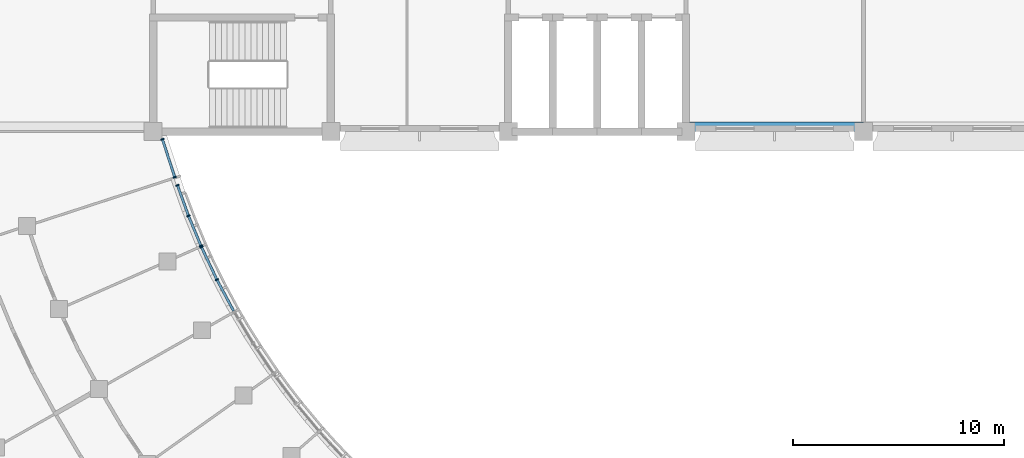
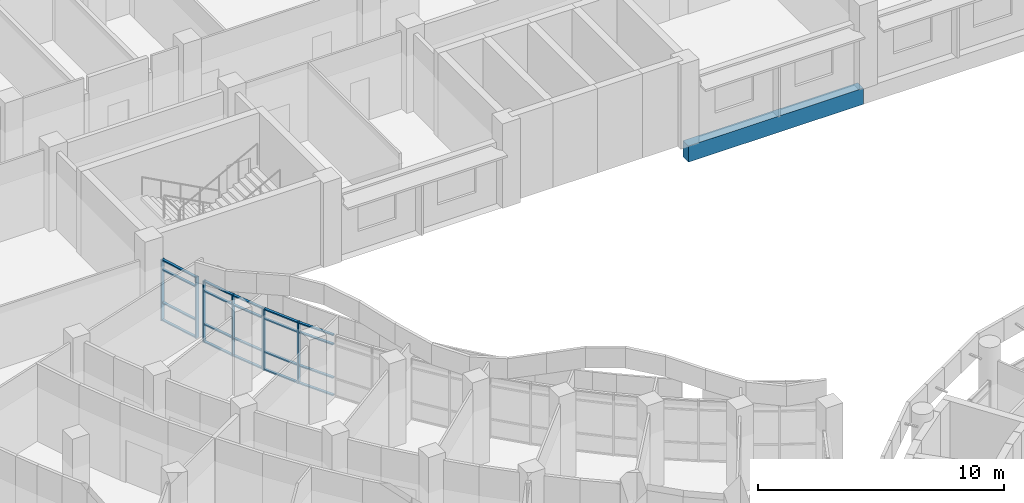
# One storey, part 23 of 109: 27 members, 1 beam, 3 elements without a shape of their own.
"""IFC4 building model written with IfcOpenShell, lengths in metres."""

from ifc_helpers import new_model, si_unit, direction, frame, origin, origin_2d, place, context, subcontext, project, spatial, rectangle, extrude, material, material_profile, profile_set, type_object, element, aggregate, save


model = new_model("IFC4")

# Units and contexts
model_context = context("Model", 3, precision=1e-05, world=origin(), true_north=direction((0.0, 1.0)))
body_context = subcontext(model_context, "Body", "Model", "MODEL_VIEW")
ifc_project = project(units=[si_unit("LENGTHUNIT", "METRE"), si_unit("AREAUNIT", "SQUARE_METRE"), si_unit("VOLUMEUNIT", "CUBIC_METRE"), si_unit("PLANEANGLEUNIT", "RADIAN"), si_unit("MASSUNIT", "GRAM", prefix="KILO")], contexts=[model_context])

# Site, building, storey
site_placement = place(None, origin())
site = spatial("IfcSite", under=ifc_project, at=site_placement, CompositionType="ELEMENT")
building_placement = place(site_placement, origin())
building = spatial("IfcBuilding", under=site, at=building_placement, Name="Bougainvillea Quay General Hospital", CompositionType="ELEMENT")
storey_placement = place(building_placement, frame((0.0, 0.0, 12.60009765625)))
storey = spatial("IfcBuildingStorey", under=building, at=storey_placement, Name="L02", CompositionType="ELEMENT", Elevation=12.60009765625)

# Curtain wall, members
ifc_material_1 = material(Name="Aluminium curtain wall system, powder-coated glazed", Category="aluminium")
curtain_wall_type_1 = type_object("IfcCurtainWallType", Name="Unitised curtain wall CW-2100", PredefinedType="NOTDEFINED", material=ifc_material_1)
curtain_wall_1_placement = place(storey_placement, origin())
curtain_wall_1 = element("IfcCurtainWall", 1, at=curtain_wall_1_placement, inside=storey, type_object=curtain_wall_type_1, Name="CW-W07 a11b6", PredefinedType="NOTDEFINED")
ifc_material_2 = material(Name="Aluminium mullion, powder-coated charcoal", Category="aluminium")
ifc_material_profile_1 = material_profile(ifc_material_2, rectangle(XDim=0.159912109375, YDim=0.06005859375, at=origin_2d()))
ifc_profile_set_1 = profile_set([ifc_material_profile_1], Name="Aluminium mullion, powder-coated charcoal")
member_type_1 = type_object("IfcMemberType", Name="Curtain wall mullion 160x60", PredefinedType="MULLION", material=ifc_profile_set_1)
member_1_placement = place(storey_placement, frame((78.60791015625, 110.59912109375, 0.0), z_axis=(0.0, 0.0, 1.0), x_axis=(-0.893198796365, -0.449661995473, 0.0)))
member_1 = element("IfcMember", 2, at=member_1_placement, type_object=member_type_1, Name="CW-W07 mullion 2", PredefinedType="MULLION", context=body_context, shape_type="SweptSolid", body=[
    extrude(rectangle(XDim=0.159912109375, YDim=0.06005859375, at=origin_2d()), origin(), (0.0, 0.0, 1.0), 3.0498046875),
])
member_2_placement = place(storey_placement, frame((77.87939453125, 112.142822265625, 0.0), z_axis=(0.0, 0.0, 1.0), x_axis=(-0.904313640176, -0.426868645126, 0.0)))
member_2 = element("IfcMember", 3, at=member_2_placement, type_object=member_type_1, Name="CW-W07 mullion 3", PredefinedType="MULLION", context=body_context, shape_type="SweptSolid", body=[
    extrude(rectangle(XDim=0.159912109375, YDim=0.06005859375, at=origin_2d()), origin(), (0.0, 0.0, 1.0), 3.0498046875),
])

curtain_wall_2_placement = place(storey_placement, origin())
curtain_wall_2 = element("IfcCurtainWall", 4, at=curtain_wall_2_placement, inside=storey, type_object=curtain_wall_type_1, Name="CW-W08 a11b7", PredefinedType="NOTDEFINED")
member_3_placement = place(storey_placement, frame((77.85498046875, 112.197509765625, 0.0), z_axis=(0.0, 0.0, 1.0), x_axis=(-0.923843470036, -0.382770483282, 0.0)))
member_3 = element("IfcMember", 5, at=member_3_placement, type_object=member_type_1, Name="CW-W08 mullion 1", PredefinedType="MULLION", context=body_context, shape_type="SweptSolid", body=[
    extrude(rectangle(XDim=0.159912109375, YDim=0.06005859375, at=origin_2d()), origin(), (0.0, 0.0, 1.0), 3.0498046875),
])
member_4_placement = place(storey_placement, frame((77.266845703125, 113.6171875, 0.0), z_axis=(0.0, 0.0, 1.0), x_axis=(-0.932356633806, -0.361539911211, 0.0)))
member_4 = element("IfcMember", 6, at=member_4_placement, type_object=member_type_1, Name="CW-W08 mullion 2", PredefinedType="MULLION", context=body_context, shape_type="SweptSolid", body=[
    extrude(rectangle(XDim=0.159912109375, YDim=0.06005859375, at=origin_2d()), origin(), (0.0, 0.0, 1.0), 3.0498046875),
])
member_5_placement = place(storey_placement, frame((76.744140625, 115.0625, 0.0), z_axis=(0.0, 0.0, 1.0), x_axis=(-0.940381978185, -0.340120177444, 0.0)))
member_5 = element("IfcMember", 7, at=member_5_placement, type_object=member_type_1, Name="CW-W08 mullion 3", PredefinedType="MULLION", context=body_context, shape_type="SweptSolid", body=[
    extrude(rectangle(XDim=0.159912109375, YDim=0.06005859375, at=origin_2d()), origin(), (0.0, 0.0, 1.0), 3.0498046875),
])

curtain_wall_type_2 = type_object("IfcCurtainWallType", Name="Unitised curtain wall CW-1950", PredefinedType="NOTDEFINED", material=ifc_material_1)
curtain_wall_3_placement = place(storey_placement, origin())
curtain_wall_3 = element("IfcCurtainWall", 8, at=curtain_wall_3_placement, inside=storey, type_object=curtain_wall_type_2, Name="CW-AE 00", PredefinedType="NOTDEFINED")
member_6_placement = place(storey_placement, frame((76.616943359375, 115.4443359375, 0.0), z_axis=(0.0, 0.0, 1.0), x_axis=(-0.951071619809, -0.308970506674, 0.0)))
member_6 = element("IfcMember", 9, at=member_6_placement, type_object=member_type_1, Name="CW-AE mullion 1", PredefinedType="MULLION", context=body_context, shape_type="SweptSolid", body=[
    extrude(rectangle(XDim=0.159912109375, YDim=0.06005859375, at=origin_2d()), origin(), (0.0, 0.0, 1.0), 3.0498046875),
])
member_7_placement = place(storey_placement, frame((76.033203125, 117.2412109375, 0.0), z_axis=(0.0, 0.0, 1.0), x_axis=(-0.951071619809, -0.308970506674, 0.0)))
member_7 = element("IfcMember", 10, at=member_7_placement, type_object=member_type_1, Name="CW-AE mullion 2", PredefinedType="MULLION", context=body_context, shape_type="SweptSolid", body=[
    extrude(rectangle(XDim=0.159912109375, YDim=0.06005859375, at=origin_2d()), origin(), (0.0, 0.0, 1.0), 3.0498046875),
])

# Member
ifc_material_3 = material(Name="Aluminium transom, powder-coated charcoal", Category="aluminium")
ifc_material_profile_2 = material_profile(ifc_material_3, rectangle(XDim=0.1201171875, YDim=0.06005859375, at=origin_2d()))
ifc_profile_set_2 = profile_set([ifc_material_profile_2], Name="Aluminium transom, powder-coated charcoal")
member_type_2 = type_object("IfcMemberType", Name="Curtain wall transom 120x60", PredefinedType="USERDEFINED", material=ifc_profile_set_2)
member_8_placement = place(storey_placement, frame((79.39990234375, 109.120849609375, 0.02978515625), z_axis=(-0.472233752021, 0.881473359468, 0.0), x_axis=(-0.881473359468, -0.472233752021, 0.0)))
member_8 = element("IfcMember", 11, at=member_8_placement, type_object=member_type_2, Name="CW-W07 transom 1.1", ObjectType="TRANSOM", PredefinedType="USERDEFINED", context=body_context, shape_type="SweptSolid", body=[
    extrude(rectangle(XDim=0.1201171875, YDim=0.06005859375, at=origin_2d()), origin(), (0.0, 0.0, 1.0), 1.647216796875),
])

member_9_placement = place(storey_placement, frame((79.39990234375, 109.120849609375, 0.89990234375), z_axis=(-0.472233752021, 0.881473359468, 0.0), x_axis=(-0.881473359468, -0.472233752021, 0.0)))
member_9 = element("IfcMember", 12, at=member_9_placement, type_object=member_type_2, Name="CW-W07 transom 1.2", ObjectType="TRANSOM", PredefinedType="USERDEFINED", context=body_context, shape_type="SweptSolid", body=[
    extrude(rectangle(XDim=0.1201171875, YDim=0.06005859375, at=origin_2d()), origin(), (0.0, 0.0, 1.0), 1.647216796875),
])

member_10_placement = place(storey_placement, frame((79.39990234375, 109.120849609375, 2.5498046875), z_axis=(-0.472233752021, 0.881473359468, 0.0), x_axis=(-0.881473359468, -0.472233752021, 0.0)))
member_10 = element("IfcMember", 13, at=member_10_placement, type_object=member_type_2, Name="CW-W07 transom 1.3", ObjectType="TRANSOM", PredefinedType="USERDEFINED", context=body_context, shape_type="SweptSolid", body=[
    extrude(rectangle(XDim=0.1201171875, YDim=0.06005859375, at=origin_2d()), origin(), (0.0, 0.0, 1.0), 1.647216796875),
])

member_11_placement = place(storey_placement, frame((79.39990234375, 109.120849609375, 3.02001953125), z_axis=(-0.472233752021, 0.881473359468, 0.0), x_axis=(-0.881473359468, -0.472233752021, 0.0)))
member_11 = element("IfcMember", 14, at=member_11_placement, type_object=member_type_2, Name="CW-W07 transom 1.4", ObjectType="TRANSOM", PredefinedType="USERDEFINED", context=body_context, shape_type="SweptSolid", body=[
    extrude(rectangle(XDim=0.1201171875, YDim=0.06005859375, at=origin_2d()), origin(), (0.0, 0.0, 1.0), 1.647216796875),
])

member_12_placement = place(storey_placement, frame((78.59521484375, 110.626220703125, 0.02978515625), z_axis=(-0.426938963693, 0.904280443934, 0.0), x_axis=(-0.904280443934, -0.426938963693, 0.0)))
member_12 = element("IfcMember", 15, at=member_12_placement, type_object=member_type_2, Name="CW-W07 transom 2.1", ObjectType="TRANSOM", PredefinedType="USERDEFINED", context=body_context, shape_type="SweptSolid", body=[
    extrude(rectangle(XDim=0.1201171875, YDim=0.06005859375, at=origin_2d()), origin(), (0.0, 0.0, 1.0), 1.64697265625),
])

member_13_placement = place(storey_placement, frame((78.59521484375, 110.626220703125, 0.89990234375), z_axis=(-0.426938963693, 0.904280443934, 0.0), x_axis=(-0.904280443934, -0.426938963693, 0.0)))
member_13 = element("IfcMember", 16, at=member_13_placement, type_object=member_type_2, Name="CW-W07 transom 2.2", ObjectType="TRANSOM", PredefinedType="USERDEFINED", context=body_context, shape_type="SweptSolid", body=[
    extrude(rectangle(XDim=0.1201171875, YDim=0.06005859375, at=origin_2d()), origin(), (0.0, 0.0, 1.0), 1.64697265625),
])

member_14_placement = place(storey_placement, frame((78.59521484375, 110.626220703125, 2.5498046875), z_axis=(-0.426938963693, 0.904280443934, 0.0), x_axis=(-0.904280443934, -0.426938963693, 0.0)))
member_14 = element("IfcMember", 17, at=member_14_placement, type_object=member_type_2, Name="CW-W07 transom 2.3", ObjectType="TRANSOM", PredefinedType="USERDEFINED", context=body_context, shape_type="SweptSolid", body=[
    extrude(rectangle(XDim=0.1201171875, YDim=0.06005859375, at=origin_2d()), origin(), (0.0, 0.0, 1.0), 1.64697265625),
])

member_15_placement = place(storey_placement, frame((78.59521484375, 110.626220703125, 3.02001953125), z_axis=(-0.426938963693, 0.904280443934, 0.0), x_axis=(-0.904280443934, -0.426938963693, 0.0)))
member_15 = element("IfcMember", 18, at=member_15_placement, type_object=member_type_2, Name="CW-W07 transom 2.4", ObjectType="TRANSOM", PredefinedType="USERDEFINED", context=body_context, shape_type="SweptSolid", body=[
    extrude(rectangle(XDim=0.1201171875, YDim=0.06005859375, at=origin_2d()), origin(), (0.0, 0.0, 1.0), 1.64697265625),
])

aggregate(curtain_wall_1, [member_1, member_2, member_8, member_9, member_10, member_11, member_12, member_13, member_14, member_15])

member_16_placement = place(storey_placement, frame((77.843505859375, 112.225341796875, 0.02978515625), z_axis=(-0.382736296067, 0.923857633877, 0.0), x_axis=(-0.923857633877, -0.382736296067, 0.0)))
member_16 = element("IfcMember", 19, at=member_16_placement, type_object=member_type_2, Name="CW-W08 transom 1.1", ObjectType="TRANSOM", PredefinedType="USERDEFINED", context=body_context, shape_type="SweptSolid", body=[
    extrude(rectangle(XDim=0.1201171875, YDim=0.06005859375, at=origin_2d()), origin(), (0.0, 0.0, 1.0), 1.476806640625),
])

member_17_placement = place(storey_placement, frame((77.843505859375, 112.225341796875, 0.89990234375), z_axis=(-0.382736296067, 0.923857633877, 0.0), x_axis=(-0.923857633877, -0.382736296067, 0.0)))
member_17 = element("IfcMember", 20, at=member_17_placement, type_object=member_type_2, Name="CW-W08 transom 1.2", ObjectType="TRANSOM", PredefinedType="USERDEFINED", context=body_context, shape_type="SweptSolid", body=[
    extrude(rectangle(XDim=0.1201171875, YDim=0.06005859375, at=origin_2d()), origin(), (0.0, 0.0, 1.0), 1.476806640625),
])

member_18_placement = place(storey_placement, frame((77.843505859375, 112.225341796875, 2.5498046875), z_axis=(-0.382736296067, 0.923857633877, 0.0), x_axis=(-0.923857633877, -0.382736296067, 0.0)))
member_18 = element("IfcMember", 21, at=member_18_placement, type_object=member_type_2, Name="CW-W08 transom 1.3", ObjectType="TRANSOM", PredefinedType="USERDEFINED", context=body_context, shape_type="SweptSolid", body=[
    extrude(rectangle(XDim=0.1201171875, YDim=0.06005859375, at=origin_2d()), origin(), (0.0, 0.0, 1.0), 1.476806640625),
])

member_19_placement = place(storey_placement, frame((77.843505859375, 112.225341796875, 3.02001953125), z_axis=(-0.382736296067, 0.923857633877, 0.0), x_axis=(-0.923857633877, -0.382736296067, 0.0)))
member_19 = element("IfcMember", 22, at=member_19_placement, type_object=member_type_2, Name="CW-W08 transom 1.4", ObjectType="TRANSOM", PredefinedType="USERDEFINED", context=body_context, shape_type="SweptSolid", body=[
    extrude(rectangle(XDim=0.1201171875, YDim=0.06005859375, at=origin_2d()), origin(), (0.0, 0.0, 1.0), 1.476806640625),
])

member_20_placement = place(storey_placement, frame((77.256591796875, 113.6455078125, 0.02978515625), z_axis=(-0.340083199438, 0.940395351679, 0.0), x_axis=(-0.940395351679, -0.340083199438, 0.0)))
member_20 = element("IfcMember", 23, at=member_20_placement, type_object=member_type_2, Name="CW-W08 transom 2.1", ObjectType="TRANSOM", PredefinedType="USERDEFINED", context=body_context, shape_type="SweptSolid", body=[
    extrude(rectangle(XDim=0.1201171875, YDim=0.06005859375, at=origin_2d()), origin(), (0.0, 0.0, 1.0), 1.476806640625),
])

member_21_placement = place(storey_placement, frame((77.256591796875, 113.6455078125, 0.89990234375), z_axis=(-0.340083199438, 0.940395351679, 0.0), x_axis=(-0.940395351679, -0.340083199438, 0.0)))
member_21 = element("IfcMember", 24, at=member_21_placement, type_object=member_type_2, Name="CW-W08 transom 2.2", ObjectType="TRANSOM", PredefinedType="USERDEFINED", context=body_context, shape_type="SweptSolid", body=[
    extrude(rectangle(XDim=0.1201171875, YDim=0.06005859375, at=origin_2d()), origin(), (0.0, 0.0, 1.0), 1.476806640625),
])

member_22_placement = place(storey_placement, frame((77.256591796875, 113.6455078125, 2.5498046875), z_axis=(-0.340083199438, 0.940395351679, 0.0), x_axis=(-0.940395351679, -0.340083199438, 0.0)))
member_22 = element("IfcMember", 25, at=member_22_placement, type_object=member_type_2, Name="CW-W08 transom 2.3", ObjectType="TRANSOM", PredefinedType="USERDEFINED", context=body_context, shape_type="SweptSolid", body=[
    extrude(rectangle(XDim=0.1201171875, YDim=0.06005859375, at=origin_2d()), origin(), (0.0, 0.0, 1.0), 1.476806640625),
])

member_23_placement = place(storey_placement, frame((77.256591796875, 113.6455078125, 3.02001953125), z_axis=(-0.340083199438, 0.940395351679, 0.0), x_axis=(-0.940395351679, -0.340083199438, 0.0)))
member_23 = element("IfcMember", 26, at=member_23_placement, type_object=member_type_2, Name="CW-W08 transom 2.4", ObjectType="TRANSOM", PredefinedType="USERDEFINED", context=body_context, shape_type="SweptSolid", body=[
    extrude(rectangle(XDim=0.1201171875, YDim=0.06005859375, at=origin_2d()), origin(), (0.0, 0.0, 1.0), 1.476806640625),
])

aggregate(curtain_wall_2, [member_3, member_4, member_5, member_16, member_17, member_18, member_19, member_20, member_21, member_22, member_23])

member_24_placement = place(storey_placement, frame((76.607666015625, 115.472900390625, 0.02978515625), z_axis=(-0.30897139132, 0.951071332417, 0.0), x_axis=(-0.951071332417, -0.30897139132, 0.0)))
member_24 = element("IfcMember", 27, at=member_24_placement, type_object=member_type_2, Name="CW-AE transom 1.1", ObjectType="TRANSOM", PredefinedType="USERDEFINED", context=body_context, shape_type="SweptSolid", body=[
    extrude(rectangle(XDim=0.1201171875, YDim=0.06005859375, at=origin_2d()), origin(), (0.0, 0.0, 1.0), 1.829345703125),
])

member_25_placement = place(storey_placement, frame((76.607666015625, 115.472900390625, 0.89990234375), z_axis=(-0.30897139132, 0.951071332417, 0.0), x_axis=(-0.951071332417, -0.30897139132, 0.0)))
member_25 = element("IfcMember", 28, at=member_25_placement, type_object=member_type_2, Name="CW-AE transom 1.2", ObjectType="TRANSOM", PredefinedType="USERDEFINED", context=body_context, shape_type="SweptSolid", body=[
    extrude(rectangle(XDim=0.1201171875, YDim=0.06005859375, at=origin_2d()), origin(), (0.0, 0.0, 1.0), 1.829345703125),
])

member_26_placement = place(storey_placement, frame((76.607666015625, 115.472900390625, 2.5498046875), z_axis=(-0.30897139132, 0.951071332417, 0.0), x_axis=(-0.951071332417, -0.30897139132, 0.0)))
member_26 = element("IfcMember", 29, at=member_26_placement, type_object=member_type_2, Name="CW-AE transom 1.3", ObjectType="TRANSOM", PredefinedType="USERDEFINED", context=body_context, shape_type="SweptSolid", body=[
    extrude(rectangle(XDim=0.1201171875, YDim=0.06005859375, at=origin_2d()), origin(), (0.0, 0.0, 1.0), 1.829345703125),
])

member_27_placement = place(storey_placement, frame((76.607666015625, 115.472900390625, 3.02001953125), z_axis=(-0.30897139132, 0.951071332417, 0.0), x_axis=(-0.951071332417, -0.30897139132, 0.0)))
member_27 = element("IfcMember", 30, at=member_27_placement, type_object=member_type_2, Name="CW-AE transom 1.4", ObjectType="TRANSOM", PredefinedType="USERDEFINED", context=body_context, shape_type="SweptSolid", body=[
    extrude(rectangle(XDim=0.1201171875, YDim=0.06005859375, at=origin_2d()), origin(), (0.0, 0.0, 1.0), 1.829345703125),
])

aggregate(curtain_wall_3, [member_6, member_7, member_24, member_25, member_26, member_27])

# Beam
ifc_material_4 = material(Name="Concrete C40", Category="concrete")
ifc_material_profile_3 = material_profile(ifc_material_4, rectangle(XDim=0.449951171875, YDim=0.800048828125, at=origin_2d()))
ifc_profile_set_3 = profile_set([ifc_material_profile_3], Name="Concrete C40")
beam_type = type_object("IfcBeamType", Name="RC BEAM 450x800 C40", PredefinedType="BEAM", material=ifc_profile_set_3)
beam_placement = place(storey_placement, frame((100.97509765625, 117.824951171875, -0.7001953125), z_axis=(1.0, 0.0, 0.0), x_axis=(0.0, 1.0, 0.0)))
element("IfcBeam", 31, at=beam_placement, inside=storey, type_object=beam_type, Name="Edge beam L02", PredefinedType="BEAM", context=body_context, shape_type="SweptSolid", body=[
    extrude(rectangle(XDim=0.449951171875, YDim=0.800048828125, at=origin_2d()), origin(), (0.0, 0.0, 1.0), 8.224853515625),
])

save(model, "model.ifc")
